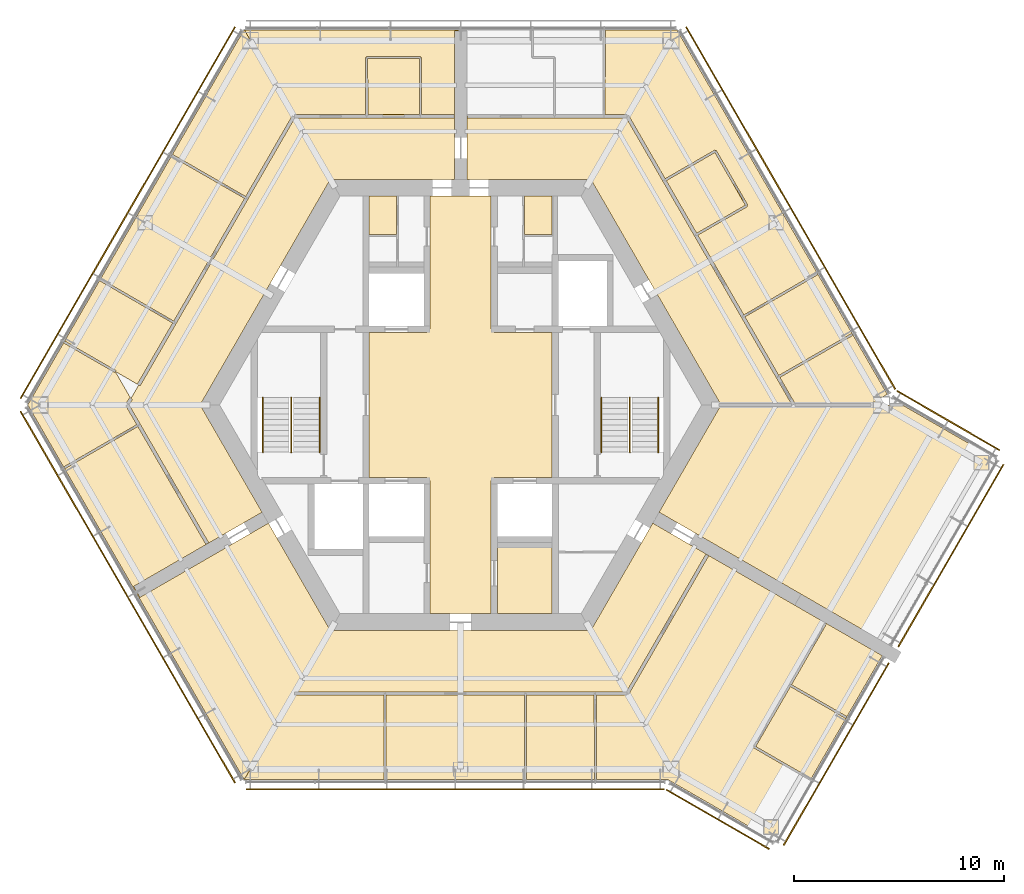
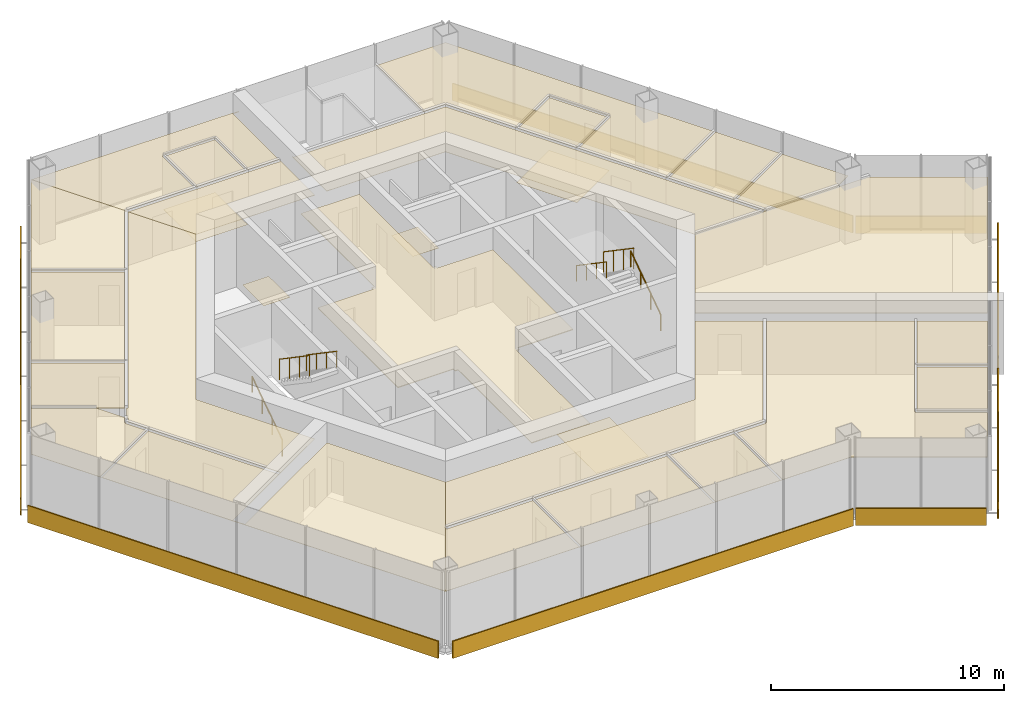
# One storey, part 12 of 13: 29 coverings, 8 shading devices, 6 railings.
"""IFC4 building model written with IfcOpenShell, lengths in metres."""

from ifc_helpers import new_model, si_unit, direction, frame, origin, origin_2d, place, context, subcontext, project, spatial, polyline, rectangle, circle, outline, extrude, material, layer, layer_set, type_object, element, save


model = new_model("IFC4")

# Units and contexts
model_context = context("Model", 3, precision=1e-05, world=origin(), true_north=direction((0.0, 1.0)))
body_context = subcontext(model_context, "Body", "Model", "MODEL_VIEW")
ifc_project = project(units=[si_unit("LENGTHUNIT", "METRE"), si_unit("AREAUNIT", "SQUARE_METRE"), si_unit("VOLUMEUNIT", "CUBIC_METRE"), si_unit("PLANEANGLEUNIT", "RADIAN"), si_unit("MASSUNIT", "GRAM", prefix="KILO")], contexts=[model_context])

# Site, building, storey
site_placement = place(None, origin())
site = spatial("IfcSite", under=ifc_project, at=site_placement, CompositionType="ELEMENT")
building_placement = place(site_placement, origin())
building = spatial("IfcBuilding", under=site, at=building_placement, Name="Kasaneha Research Tower", CompositionType="ELEMENT")
storey_placement = place(building_placement, frame((0.0, 0.0, 275.199951171875)))
storey = spatial("IfcBuildingStorey", under=building, at=storey_placement, Name="L69", CompositionType="ELEMENT", Elevation=275.199951171875)

# Covering
ifc_material_1 = material(Name="Aluminium panel ceiling", Category="aluminium")
ifc_layer_1 = layer(ifc_material_1, 0.0400390625)
ifc_layer_set_1 = layer_set([ifc_layer_1], Name="Lift lobby ceiling 40")
covering_type_1 = type_object("IfcCoveringType", Name="Lift lobby ceiling 40", PredefinedType="CEILING", material=ifc_layer_set_1)
covering_1_placement = place(storey_placement, frame((0.0, 0.0, 2.699951171875)))
element("IfcCovering", 1, at=covering_1_placement, inside=storey, type_object=covering_type_1, Name="Ceiling L69-01", PredefinedType="CEILING", context=body_context, shape_type="SweptSolid", body=[
    extrude(outline(polyline([(1.449951171875, 9.925048828125), (1.449951171875, 3.60009765625), (1.60009765625, 3.60009765625), (1.60009765625, 3.449951171875), (4.35009765625, 3.449951171875), (4.35009765625, -3.449951171875), (1.60009765625, -3.449951171875), (1.60009765625, -3.60009765625), (1.449951171875, -3.60009765625), (1.449951171875, -9.925048828125), (-1.449951171875, -9.925048828125), (-1.449951171875, -3.60009765625), (-1.60009765625, -3.60009765625), (-1.60009765625, -3.449951171875), (-4.35009765625, -3.449951171875), (-4.35009765625, 3.449951171875), (-1.60009765625, 3.449951171875), (-1.60009765625, 3.60009765625), (-1.449951171875, 3.60009765625), (-1.449951171875, 9.925048828125), (1.449951171875, 9.925048828125)])), origin(), (0.0, 0.0, 1.0), 0.0400390625),
])

# Railings
ifc_material_2 = material(Name="Steel", Category="steel")
railing_type_1 = type_object("IfcRailingType", Name="Stair balustrade 1100", PredefinedType="GUARDRAIL", material=ifc_material_2)
for number, where, name in (
    (2, (8.050048828125, 0.35009765625, 2.12744140625), "Stair 1 balustrade L69"),
    (3, (-8.050048828125, 0.35009765625, 2.12744140625), "Stair 2 balustrade L69"),
):
    element("IfcRailing", number, at=place(storey_placement, frame(where)), inside=storey, type_object=railing_type_1, Name=name, PredefinedType="GUARDRAIL", context=body_context, shape_type="SweptSolid", body=[
        extrude(circle(Radius=0.02392578125, at=origin_2d()), frame((0.0, 0.0, 1.076171875), z_axis=(0.0, -0.826240473404, 0.563317565952), x_axis=(1.0, 0.0, 0.0)), (0.0, 0.0, 1.0), 3.14697265625),
        extrude(circle(Radius=0.02099609375, at=origin_2d()), origin(), (0.0, 0.0, 1.0), 1.052001953125),
        extrude(circle(Radius=0.02099609375, at=origin_2d()), frame((0.0, -0.86669921875, 0.5908203125)), (0.0, 0.0, 1.0), 1.052001953125),
        extrude(circle(Radius=0.02099609375, at=origin_2d()), frame((0.0, -1.7333984375, 1.181884765625)), (0.0, 0.0, 1.0), 1.052001953125),
        extrude(circle(Radius=0.02099609375, at=origin_2d()), frame((0.0, -2.60009765625, 1.772705078125)), (0.0, 0.0, 1.0), 1.052001953125),
    ])
ifc_material_3 = material(Name="Steel", Category="steel")
railing_type_2 = type_object("IfcRailingType", Name="Stair handrail 850", PredefinedType="HANDRAIL", material=ifc_material_3)
railing_1_placement = place(storey_placement, frame((9.39990234375, -2.25, 0.17724609375)))
element("IfcRailing", 4, at=railing_1_placement, inside=storey, type_object=railing_type_2, Name="Stair 1 handrail L69", PredefinedType="HANDRAIL", context=body_context, shape_type="SweptSolid", body=[
    extrude(circle(Radius=0.02392578125, at=origin_2d()), frame((0.0, 0.0, 0.826171875), z_axis=(0.0, 0.826240473404, 0.563317565952), x_axis=(-1.0, 0.0, 0.0)), (0.0, 0.0, 1.0), 3.14697265625),
    extrude(circle(Radius=0.02099609375, at=origin_2d()), origin(), (0.0, 0.0, 1.0), 0.802001953125),
    extrude(circle(Radius=0.02099609375, at=origin_2d()), frame((0.0, 0.86669921875, 0.5908203125)), (0.0, 0.0, 1.0), 0.802001953125),
    extrude(circle(Radius=0.02099609375, at=origin_2d()), frame((0.0, 1.7333984375, 1.181884765625)), (0.0, 0.0, 1.0), 0.802001953125),
    extrude(circle(Radius=0.02099609375, at=origin_2d()), frame((0.0, 2.60009765625, 1.772705078125)), (0.0, 0.0, 1.0), 0.802001953125),
])
railing_2_placement = place(storey_placement, frame((6.699951171875, 0.35009765625, 2.12744140625)))
element("IfcRailing", 5, at=railing_2_placement, inside=storey, type_object=railing_type_2, Name="Stair 1 handrail L69", PredefinedType="HANDRAIL", context=body_context, shape_type="SweptSolid", body=[
    extrude(circle(Radius=0.02392578125, at=origin_2d()), frame((0.0, 0.0, 0.826171875), z_axis=(0.0, -0.826240473404, 0.563317565952), x_axis=(1.0, 0.0, 0.0)), (0.0, 0.0, 1.0), 3.14697265625),
    extrude(circle(Radius=0.02099609375, at=origin_2d()), origin(), (0.0, 0.0, 1.0), 0.802001953125),
    extrude(circle(Radius=0.02099609375, at=origin_2d()), frame((0.0, -0.86669921875, 0.5908203125)), (0.0, 0.0, 1.0), 0.802001953125),
    extrude(circle(Radius=0.02099609375, at=origin_2d()), frame((0.0, -1.7333984375, 1.181884765625)), (0.0, 0.0, 1.0), 0.802001953125),
    extrude(circle(Radius=0.02099609375, at=origin_2d()), frame((0.0, -2.60009765625, 1.772705078125)), (0.0, 0.0, 1.0), 0.802001953125),
])
railing_3_placement = place(storey_placement, frame((-9.39990234375, -2.25, 0.17724609375)))
element("IfcRailing", 6, at=railing_3_placement, inside=storey, type_object=railing_type_2, Name="Stair 2 handrail L69", PredefinedType="HANDRAIL", context=body_context, shape_type="SweptSolid", body=[
    extrude(circle(Radius=0.02392578125, at=origin_2d()), frame((0.0, 0.0, 0.826171875), z_axis=(0.0, 0.826240473404, 0.563317565952), x_axis=(-1.0, 0.0, 0.0)), (0.0, 0.0, 1.0), 3.14697265625),
    extrude(circle(Radius=0.02099609375, at=origin_2d()), origin(), (0.0, 0.0, 1.0), 0.802001953125),
    extrude(circle(Radius=0.02099609375, at=origin_2d()), frame((0.0, 0.86669921875, 0.5908203125)), (0.0, 0.0, 1.0), 0.802001953125),
    extrude(circle(Radius=0.02099609375, at=origin_2d()), frame((0.0, 1.7333984375, 1.181884765625)), (0.0, 0.0, 1.0), 0.802001953125),
    extrude(circle(Radius=0.02099609375, at=origin_2d()), frame((0.0, 2.60009765625, 1.772705078125)), (0.0, 0.0, 1.0), 0.802001953125),
])
railing_4_placement = place(storey_placement, frame((-6.699951171875, 0.35009765625, 2.12744140625)))
element("IfcRailing", 7, at=railing_4_placement, inside=storey, type_object=railing_type_2, Name="Stair 2 handrail L69", PredefinedType="HANDRAIL", context=body_context, shape_type="SweptSolid", body=[
    extrude(circle(Radius=0.02392578125, at=origin_2d()), frame((0.0, 0.0, 0.826171875), z_axis=(0.0, -0.826240473404, 0.563317565952), x_axis=(1.0, 0.0, 0.0)), (0.0, 0.0, 1.0), 3.14697265625),
    extrude(circle(Radius=0.02099609375, at=origin_2d()), origin(), (0.0, 0.0, 1.0), 0.802001953125),
    extrude(circle(Radius=0.02099609375, at=origin_2d()), frame((0.0, -0.86669921875, 0.5908203125)), (0.0, 0.0, 1.0), 0.802001953125),
    extrude(circle(Radius=0.02099609375, at=origin_2d()), frame((0.0, -1.7333984375, 1.181884765625)), (0.0, 0.0, 1.0), 0.802001953125),
    extrude(circle(Radius=0.02099609375, at=origin_2d()), frame((0.0, -2.60009765625, 1.772705078125)), (0.0, 0.0, 1.0), 0.802001953125),
])

# Coverings
ifc_material_4 = material(Name="Gypsum ceiling board", Category="gypsum")
ifc_layer_2 = layer(ifc_material_4, 0.02001953125)
ifc_layer_set_2 = layer_set([ifc_layer_2], Name="Suspended ceiling 20")
covering_type_2 = type_object("IfcCoveringType", Name="Suspended ceiling 20", PredefinedType="CEILING", material=ifc_layer_set_2)
covering_2_placement = place(storey_placement, frame((0.0, 0.0, 2.800048828125)))
element("IfcCovering", 8, at=covering_2_placement, inside=storey, type_object=covering_type_2, Name="Ceiling L69-27", PredefinedType="CEILING", context=body_context, shape_type="SweptSolid", body=[
    extrude(outline(polyline([(6.192138671875, 10.72509765625), (0.300048828125, 10.72509765625), (0.300048828125, 11.72509765625), (0.300048828125, 12.72509765625), (0.300048828125, 13.72509765625), (0.320068359375, 13.72509765625), (0.320068359375, 13.64990234375), (4.4599609375, 13.64990234375), (4.469970703125, 13.64990234375), (6.826416015625, 13.64990234375), (6.8359375, 13.64990234375), (7.880859375, 13.64990234375), (9.62353515625, 10.631591796875), (9.62353515625, 10.631591796875), (11.123779296875, 8.033203125), (11.123779296875, 8.033203125), (13.362060546875, 4.156005859375), (13.362060546875, 4.156005859375), (15.02783203125, 1.27099609375), (15.02783203125, 1.27099609375), (15.76171875, 0.0), (12.38427734375, 0.0), (6.192138671875, 10.72509765625)])), origin(), (0.0, 0.0, 1.0), 0.02001953125),
])
covering_3_placement = place(storey_placement, frame((0.0, 0.0, 2.800048828125)))
element("IfcCovering", 9, at=covering_3_placement, inside=storey, type_object=covering_type_2, Name="Ceiling L69-29", PredefinedType="CEILING", context=body_context, shape_type="SweptSolid", body=[
    extrude(outline(polyline([(12.0927734375, 12.004638671875), (13.542724609375, 9.4931640625), (11.223876953125, 8.159423828125), (9.7783203125, 10.663330078125), (12.0927734375, 12.004638671875)])), origin(), (0.0, 0.0, 1.0), 0.02001953125),
])
covering_4_placement = place(storey_placement, frame((0.0, 0.0, 2.800048828125)))
element("IfcCovering", 10, at=covering_4_placement, inside=storey, type_object=covering_type_2, Name="Ceiling L69-30", PredefinedType="CEILING", context=body_context, shape_type="SweptSolid", body=[
    extrude(outline(polyline([(18.619873046875, 3.3505859375), (18.594970703125, 3.393798828125), (15.127685546875, 1.397705078125), (13.51708984375, 4.18798828125), (16.988037109375, 6.197021484375), (16.963134765625, 6.240234375), (16.9716796875, 6.2451171875), (18.63720703125, 3.360595703125), (18.619873046875, 3.3505859375)])), origin(), (0.0, 0.0, 1.0), 0.02001953125),
])
covering_5_placement = place(storey_placement, frame((0.0, 0.0, 2.800048828125)))
element("IfcCovering", 11, at=covering_5_placement, inside=storey, type_object=covering_type_2, Name="Ceiling L69-32", PredefinedType="CEILING", context=body_context, shape_type="SweptSolid", body=[
    extrude(outline(polyline([(20.28759765625, 0.501708984375), (19.41845703125, 0.0), (15.84814453125, 0.0), (15.836669921875, 0.02001953125), (15.901611328125, 0.0576171875), (15.177734375, 1.311279296875), (18.644775390625, 3.30712890625), (18.619873046875, 3.3505859375), (18.63720703125, 3.360595703125), (20.28759765625, 0.501708984375)])), origin(), (0.0, 0.0, 1.0), 0.02001953125),
])
covering_6_placement = place(storey_placement, frame((0.0, 0.0, 2.800048828125)))
element("IfcCovering", 12, at=covering_6_placement, inside=storey, type_object=covering_type_2, Name="Ceiling L69-33", PredefinedType="CEILING", context=body_context, shape_type="SweptSolid", body=[
    extrude(outline(polyline([(16.962890625, 6.24072265625), (16.93798828125, 6.283447265625), (13.467041015625, 4.2744140625), (11.27392578125, 8.072998046875), (13.635986328125, 9.431640625), (13.611328125, 9.474609375), (13.611572265625, 9.474853515625), (13.611328125, 9.47509765625), (13.654296875, 9.5), (12.154296875, 12.097900390625), (12.111572265625, 12.0732421875), (12.111572265625, 12.0732421875), (12.111083984375, 12.072998046875), (12.0859375, 12.1162109375), (9.728271484375, 10.75), (7.989013671875, 13.762451171875), (7.924560546875, 13.725341796875), (7.924560546875, 13.725341796875), (7.924072265625, 13.725341796875), (7.924072265625, 13.800048828125), (6.87646484375, 13.800048828125), (6.880859375, 17.800537109375), (6.83154296875, 17.800537109375), (6.83154296875, 17.820556640625), (10.28857421875, 17.820556640625), (16.971435546875, 6.24560546875), (16.962890625, 6.24072265625)])), origin(), (0.0, 0.0, 1.0), 0.02001953125),
])
covering_7_placement = place(storey_placement, frame((0.0, 0.0, 2.800048828125)))
element("IfcCovering", 13, at=covering_7_placement, inside=storey, type_object=covering_type_2, Name="Ceiling L69-34", PredefinedType="CEILING", context=body_context, shape_type="SweptSolid", body=[
    extrude(outline(polyline([(-0.300048828125, 11.72509765625), (-0.300048828125, 10.72509765625), (-6.192138671875, 10.72509765625), (-7.880859375, 13.64990234375), (-4.469970703125, 13.64990234375), (-4.46044921875, 13.64990234375), (-1.904541015625, 13.64990234375), (-1.89501953125, 13.64990234375), (-0.320068359375, 13.64990234375), (-0.320068359375, 13.72509765625), (-0.300048828125, 13.72509765625), (-0.300048828125, 12.72509765625), (-0.300048828125, 11.72509765625)])), origin(), (0.0, 0.0, 1.0), 0.02001953125),
])
covering_8_placement = place(storey_placement, frame((0.0, 0.0, 2.800048828125)))
element("IfcCovering", 14, at=covering_8_placement, inside=storey, type_object=covering_type_2, Name="Ceiling L69-35", PredefinedType="CEILING", context=body_context, shape_type="SweptSolid", body=[
    extrude(outline(polyline([(-1.9501953125, 16.47509765625), (-1.954345703125, 13.800048828125), (-4.41064453125, 13.800048828125), (-4.4150390625, 16.47509765625), (-1.9501953125, 16.47509765625)])), origin(), (0.0, 0.0, 1.0), 0.02001953125),
])
covering_9_placement = place(storey_placement, frame((0.0, 0.0, 2.800048828125)))
element("IfcCovering", 15, at=covering_9_placement, inside=storey, type_object=covering_type_2, Name="Ceiling L69-36", PredefinedType="CEILING", context=body_context, shape_type="SweptSolid", body=[
    extrude(outline(polyline([(-0.320068359375, 13.7255859375), (-0.320068359375, 13.800048828125), (-1.8544921875, 13.800048828125), (-1.85009765625, 16.52490234375), (-1.899658203125, 16.52490234375), (-1.899658203125, 16.525390625), (-1.89990234375, 16.525390625), (-1.89990234375, 16.574951171875), (-4.465087890625, 16.574951171875), (-4.465087890625, 16.525390625), (-4.465087890625, 16.52490234375), (-4.514892578125, 16.52490234375), (-4.510498046875, 13.800048828125), (-7.90087890625, 13.800048828125), (-7.90087890625, 13.725341796875), (-7.92431640625, 13.725341796875), (-10.28857421875, 17.820556640625), (0.0, 17.820556640625), (0.0, 17.7705078125), (-0.300048828125, 17.7705078125), (-0.300048828125, 17.7705078125), (-0.300048828125, 13.7255859375), (-0.320068359375, 13.7255859375)])), origin(), (0.0, 0.0, 1.0), 0.02001953125),
])
covering_10_placement = place(storey_placement, frame((0.0, 0.0, 2.800048828125)))
element("IfcCovering", 16, at=covering_10_placement, inside=storey, type_object=covering_type_2, Name="Ceiling L69-37", PredefinedType="CEILING", context=body_context, shape_type="SweptSolid", body=[
    extrude(outline(polyline([(-12.38427734375, 0.0), (-9.438232421875, -5.102783203125), (-10.30419921875, -5.602783203125), (-10.30419921875, -5.602783203125), (-11.170166015625, -6.102783203125), (-11.170166015625, -6.102783203125), (-12.0361328125, -6.602783203125), (-12.046142578125, -6.58544921875), (-11.981201171875, -6.5478515625), (-15.239013671875, -0.905517578125), (-15.239013671875, -0.905517578125), (-15.76171875, 0.0), (-15.607177734375, 0.267578125), (-15.672119140625, 0.304931640625), (-15.30419921875, 0.9423828125), (-15.2392578125, 0.90478515625), (-13.5263671875, 3.871337890625), (-13.526611328125, 3.871337890625), (-10.111328125, 9.786865234375), (-10.111328125, 9.786865234375), (-7.880859375, 13.64990234375), (-7.880859375, 13.64990234375), (-6.192138671875, 10.72509765625), (-12.38427734375, 0.0)])), origin(), (0.0, 0.0, 1.0), 0.02001953125),
])
covering_11_placement = place(storey_placement, frame((0.0, 0.0, 2.800048828125)))
element("IfcCovering", 17, at=covering_11_placement, inside=storey, type_object=covering_type_2, Name="Ceiling L69-38", PredefinedType="CEILING", context=body_context, shape_type="SweptSolid", body=[
    extrude(outline(polyline([(-17.12353515625, 5.9423828125), (-17.1484375, 5.899169921875), (-13.68603515625, 3.89501953125), (-15.36669921875, 0.984130859375), (-16.413330078125, 1.58837890625), (-16.38818359375, 1.6318359375), (-18.81494140625, 3.03271484375), (-18.83984375, 2.989501953125), (-18.848388671875, 2.994384765625), (-17.140869140625, 5.952392578125), (-17.12353515625, 5.9423828125)])), origin(), (0.0, 0.0, 1.0), 0.02001953125),
])
covering_12_placement = place(storey_placement, frame((0.0, 0.0, 2.800048828125)))
element("IfcCovering", 18, at=covering_12_placement, inside=storey, type_object=covering_type_2, Name="Ceiling L69-39", PredefinedType="CEILING", context=body_context, shape_type="SweptSolid", body=[
    extrude(outline(polyline([(-12.027587890625, 14.83251953125), (-10.299072265625, 17.826416015625), (-10.291748046875, 17.83203125), (-10.282470703125, 17.830810546875), (-7.912353515625, 13.725830078125), (-7.917236328125, 13.714111328125), (-7.924560546875, 13.725341796875), (-7.93603515625, 13.705322265625), (-8.000732421875, 13.742431640625), (-10.21630859375, 9.905029296875), (-13.691650390625, 11.906494140625), (-13.716552734375, 11.86328125), (-13.725341796875, 11.8681640625), (-12.023193359375, 14.816162109375), (-12.029052734375, 14.82373046875), (-12.027587890625, 14.83251953125)])), origin(), (0.0, 0.0, 1.0), 0.02001953125),
])
covering_13_placement = place(storey_placement, frame((0.0, 0.0, 2.800048828125)))
element("IfcCovering", 19, at=covering_13_placement, inside=storey, type_object=covering_type_2, Name="Ceiling L69-40", PredefinedType="CEILING", context=body_context, shape_type="SweptSolid", body=[
    extrude(outline(polyline([(-18.848388671875, -2.994384765625), (-20.577880859375, 0.0), (-18.8486328125, 2.99462890625), (-18.83984375, 2.989501953125), (-18.864990234375, 2.9462890625), (-16.438232421875, 1.545166015625), (-16.416015625, 1.58349609375), (-15.680908203125, 0.31005859375), (-15.737060546875, 0.342529296875), (-15.913330078125, 0.03759765625), (-15.848388671875, 0.0), (-15.913330078125, -0.03759765625), (-15.393798828125, -0.937255859375), (-18.864990234375, -2.9462890625), (-18.83984375, -2.989501953125), (-18.848388671875, -2.994384765625)])), origin(), (0.0, 0.0, 1.0), 0.02001953125),
])
covering_14_placement = place(storey_placement, frame((0.0, 0.0, 2.800048828125)))
element("IfcCovering", 20, at=covering_14_placement, inside=storey, type_object=covering_type_2, Name="Ceiling L69-41", PredefinedType="CEILING", context=body_context, shape_type="SweptSolid", body=[
    extrude(outline(polyline([(-17.140380859375, 5.952880859375), (-13.7255859375, 11.86767578125), (-13.716796875, 11.86279296875), (-13.74169921875, 11.81982421875), (-10.26611328125, 9.818359375), (-13.63623046875, 3.981689453125), (-17.098388671875, 5.985595703125), (-17.123291015625, 5.94287109375), (-17.140380859375, 5.952880859375)])), origin(), (0.0, 0.0, 1.0), 0.02001953125),
])
covering_15_placement = place(storey_placement, frame((0.0, 0.0, 2.800048828125)))
element("IfcCovering", 21, at=covering_15_placement, inside=storey, type_object=covering_type_2, Name="Ceiling L69-42", PredefinedType="CEILING", context=body_context, shape_type="SweptSolid", body=[
    extrude(outline(polyline([(-15.539794921875, -8.62548828125), (-15.3896484375, -8.88525390625), (-15.43310546875, -8.91015625), (-18.84814453125, -2.994873046875), (-18.839599609375, -2.989990234375), (-18.81494140625, -3.03271484375), (-15.34375, -1.023681640625), (-12.111083984375, -6.622802734375), (-12.046630859375, -6.585693359375), (-12.03662109375, -6.60302734375), (-15.539794921875, -8.62548828125), (-15.539794921875, -8.62548828125), (-15.539794921875, -8.62548828125)])), origin(), (0.0, 0.0, 1.0), 0.02001953125),
])
covering_16_placement = place(storey_placement, frame((0.0, 0.0, 2.800048828125)))
element("IfcCovering", 22, at=covering_16_placement, inside=storey, type_object=covering_type_2, Name="Ceiling L69-43", PredefinedType="CEILING", context=body_context, shape_type="SweptSolid", body=[
    extrude(outline(polyline([(-10.004150390625, -6.122314453125), (-10.004150390625, -6.122314453125), (-9.50927734375, -5.836669921875), (-9.13818359375, -5.622314453125), (-6.192138671875, -10.72509765625), (-7.880859375, -13.64990234375), (-7.90087890625, -13.64990234375), (-7.90087890625, -13.684814453125), (-10.28857421875, -17.820556640625), (-15.43310546875, -8.91015625), (-15.3896484375, -8.88525390625), (-15.23974609375, -9.14501953125), (-10.004150390625, -6.122314453125)])), origin(), (0.0, 0.0, 1.0), 0.02001953125),
])
covering_17_placement = place(storey_placement, frame((0.0, 0.0, 2.800048828125)))
element("IfcCovering", 23, at=covering_17_placement, inside=storey, type_object=covering_type_2, Name="Ceiling L69-44", PredefinedType="CEILING", context=body_context, shape_type="SweptSolid", body=[
    extrude(outline(polyline([(11.170166015625, -6.102783203125), (10.30419921875, -5.602783203125), (10.227783203125, -5.55859375), (9.438232421875, -5.102783203125), (12.38427734375, 0.0), (15.76171875, 0.0), (15.771728515625, -0.017578125), (15.802001953125, 0.0), (21.0, 0.0), (25.446044921875, -2.56689453125), (20.34619140625, -11.400390625), (12.1259765625, -6.654541015625), (11.170166015625, -6.102783203125)])), origin(), (0.0, 0.0, 1.0), 0.02001953125),
])
covering_18_placement = place(storey_placement, frame((0.0, 0.0, 2.800048828125)))
element("IfcCovering", 24, at=covering_18_placement, inside=storey, type_object=covering_type_2, Name="Ceiling L69-45", PredefinedType="CEILING", context=body_context, shape_type="SweptSolid", body=[
    extrude(outline(polyline([(-6.192138671875, -10.72509765625), (6.192138671875, -10.72509765625), (9.13818359375, -5.622314453125), (10.004150390625, -6.122314453125), (10.004150390625, -6.122314453125), (10.8701171875, -6.622314453125), (10.8701171875, -6.622314453125), (11.736083984375, -7.122314453125), (11.726318359375, -7.1396484375), (11.6611328125, -7.10205078125), (7.880859375, -13.64990234375), (6.413330078125, -13.64990234375), (6.40380859375, -13.64990234375), (3.081787109375, -13.64990234375), (3.072509765625, -13.64990234375), (-3.57958984375, -13.64990234375), (-3.589111328125, -13.64990234375), (-7.880859375, -13.64990234375), (-6.192138671875, -10.72509765625)])), origin(), (0.0, 0.0, 1.0), 0.02001953125),
])
covering_19_placement = place(storey_placement, frame((0.0, 0.0, 2.800048828125)))
element("IfcCovering", 25, at=covering_19_placement, inside=storey, type_object=covering_type_2, Name="Ceiling L69-46", PredefinedType="CEILING", context=body_context, shape_type="SweptSolid", body=[
    extrude(outline(polyline([(-7.924560546875, -13.72509765625), (-7.90087890625, -13.72509765625), (-7.90087890625, -13.800048828125), (-3.638916015625, -13.800048828125), (-3.634521484375, -17.800537109375), (-3.58447265625, -17.800537109375), (-3.58447265625, -17.820556640625), (-10.2890625, -17.820556640625), (-7.924560546875, -13.72509765625)])), origin(), (0.0, 0.0, 1.0), 0.02001953125),
])
covering_20_placement = place(storey_placement, frame((0.0, 0.0, 2.800048828125)))
element("IfcCovering", 26, at=covering_20_placement, inside=storey, type_object=covering_type_2, Name="Ceiling L69-47", PredefinedType="CEILING", context=body_context, shape_type="SweptSolid", body=[
    extrude(outline(polyline([(3.077392578125, -17.800537109375), (3.12744140625, -17.800537109375), (3.1318359375, -13.800048828125), (6.353759765625, -13.800048828125), (6.3583984375, -17.800537109375), (6.408203125, -17.800537109375), (6.408203125, -17.820556640625), (3.077392578125, -17.820556640625), (3.077392578125, -17.800537109375)])), origin(), (0.0, 0.0, 1.0), 0.02001953125),
])
covering_21_placement = place(storey_placement, frame((0.0, 0.0, 2.800048828125)))
element("IfcCovering", 27, at=covering_21_placement, inside=storey, type_object=covering_type_2, Name="Ceiling L69-48", PredefinedType="CEILING", context=body_context, shape_type="SweptSolid", body=[
    extrude(outline(polyline([(16.646240234375, -17.80908203125), (16.62890625, -17.799072265625), (16.65380859375, -17.755615234375), (14.02978515625, -16.24072265625), (15.68115234375, -13.389404296875), (18.303955078125, -14.89794921875), (18.328857421875, -14.8544921875), (18.34619140625, -14.864501953125), (16.646240234375, -17.80908203125)])), origin(), (0.0, 0.0, 1.0), 0.02001953125),
])
covering_22_placement = place(storey_placement, frame((0.0, 0.0, 2.800048828125)))
element("IfcCovering", 28, at=covering_22_placement, inside=storey, type_object=covering_type_2, Name="Ceiling L69-49", PredefinedType="CEILING", context=body_context, shape_type="SweptSolid", body=[
    extrude(outline(polyline([(18.34619140625, -14.864501953125), (18.328857421875, -14.8544921875), (18.353759765625, -14.811279296875), (15.731201171875, -13.302734375), (17.394775390625, -10.412353515625), (17.3515625, -10.387451171875), (17.361572265625, -10.3701171875), (20.046142578125, -11.920166015625), (18.34619140625, -14.864501953125)])), origin(), (0.0, 0.0, 1.0), 0.02001953125),
])
covering_23_placement = place(storey_placement, frame((0.0, 0.0, 2.800048828125)))
element("IfcCovering", 29, at=covering_23_placement, inside=storey, type_object=covering_type_2, Name="Ceiling L69-50", PredefinedType="CEILING", context=body_context, shape_type="SweptSolid", body=[
    extrude(outline(polyline([(13.96142578125, -16.25927734375), (13.9365234375, -16.30224609375), (16.603759765625, -17.84228515625), (16.62841796875, -17.799560546875), (16.64599609375, -17.8095703125), (14.946044921875, -20.75341796875), (9.865966796875, -17.820556640625), (6.40869140625, -17.820556640625), (6.40869140625, -17.800537109375), (6.458251953125, -17.800537109375), (6.453857421875, -13.800048828125), (7.924072265625, -13.800048828125), (7.924072265625, -13.725341796875), (7.924560546875, -13.725341796875), (7.924560546875, -13.725341796875), (7.989013671875, -13.762451171875), (11.791259765625, -7.177001953125), (11.7265625, -7.139892578125), (11.736572265625, -7.12255859375), (17.361083984375, -10.369873046875), (17.35107421875, -10.38720703125), (17.30810546875, -10.362548828125), (15.6220703125, -13.291748046875), (13.918212890625, -16.23388671875), (13.961181640625, -16.2587890625), (13.9609375, -16.259033203125), (13.96142578125, -16.25927734375)])), origin(), (0.0, 0.0, 1.0), 0.02001953125),
])
covering_24_placement = place(storey_placement, frame((0.0, 0.0, 2.800048828125)))
element("IfcCovering", 30, at=covering_24_placement, inside=storey, type_object=covering_type_2, Name="Ceiling L69-51", PredefinedType="CEILING", context=body_context, shape_type="SweptSolid", body=[
    extrude(outline(polyline([(3.076904296875, -17.820556640625), (-3.583984375, -17.820556640625), (-3.583984375, -17.800537109375), (-3.534423828125, -17.800537109375), (-3.538818359375, -13.800048828125), (3.03173828125, -13.800048828125), (3.02734375, -17.800537109375), (3.076904296875, -17.800537109375), (3.076904296875, -17.820556640625)])), origin(), (0.0, 0.0, 1.0), 0.02001953125),
])

# Shading devices
ifc_material_5 = material(Name="Terracotta", Category="masonry")
ifc_layer_3 = layer(ifc_material_5, 0.06005859375)
ifc_layer_set_3 = layer_set([ifc_layer_3], Name="Terracotta baguette screen")
shading_device_type = type_object("IfcShadingDeviceType", Name="Terracotta baguette screen", PredefinedType="USERDEFINED", material=ifc_layer_set_3)
shading_device_1_placement = place(storey_placement, frame((15.696044921875, 9.35498046875, -0.449951171875), z_axis=(0.0, 0.0, 1.0), x_axis=(-0.499999979232, 0.866025415775, 0.0)))
element("IfcShadingDevice", 31, at=shading_device_1_placement, inside=storey, type_object=shading_device_type, Name="Baguette screen L69 01", ObjectType="TERRACOTTA BAGUETTE SCREEN", PredefinedType="USERDEFINED", context=body_context, shape_type="SweptSolid", body=[
    extrude(rectangle(XDim=19.8857421875, YDim=0.06005859375, at=origin_2d()), origin(), (0.0, 0.0, 1.0), 0.89990234375),
])
for number, where, z_axis, x_axis, name in (
    (32, (-15.82275390625, 9.13525390625, -0.449951171875), (0.0, 0.0, 1.0), (-0.499999995722, -0.866025406254, 0.0), "Baguette screen L69 03"),
    (33, (-15.82275390625, -9.13525390625, -0.449951171875), (0.0, 0.0, 1.0), (0.499999995722, -0.866025406254, 0.0), "Baguette screen L69 04"),
):
    element("IfcShadingDevice", number, at=place(storey_placement, frame(where, z_axis=z_axis, x_axis=x_axis)), inside=storey, type_object=shading_device_type, Name=name, ObjectType="TERRACOTTA BAGUETTE SCREEN", PredefinedType="USERDEFINED", context=body_context, shape_type="SweptSolid", body=[
        extrude(rectangle(XDim=20.392822265625, YDim=0.06005859375, at=origin_2d()), origin(), (0.0, 0.0, 1.0), 0.89990234375),
    ])
shading_device_2_placement = place(storey_placement, frame((-0.253662109375, -18.2705078125, -0.449951171875), z_axis=(0.0, 0.0, 1.0), x_axis=(1.0, 0.0, 0.0)))
element("IfcShadingDevice", 34, at=shading_device_2_placement, inside=storey, type_object=shading_device_type, Name="Baguette screen L69 05", ObjectType="TERRACOTTA BAGUETTE SCREEN", PredefinedType="USERDEFINED", context=body_context, shape_type="SweptSolid", body=[
    extrude(rectangle(XDim=19.8857421875, YDim=0.06005859375, at=origin_2d()), origin(), (0.0, 0.0, 1.0), 0.89990234375),
])
shading_device_3_placement = place(storey_placement, frame((12.236083984375, -19.70849609375, -0.449951171875), z_axis=(0.0, 0.0, 1.0), x_axis=(0.866025443395, -0.499999931393, 0.0)))
element("IfcShadingDevice", 35, at=shading_device_3_placement, inside=storey, type_object=shading_device_type, Name="Baguette screen L69 06", ObjectType="TERRACOTTA BAGUETTE SCREEN", PredefinedType="USERDEFINED", context=body_context, shape_type="SweptSolid", body=[
    extrude(rectangle(XDim=5.63916015625, YDim=0.06005859375, at=origin_2d()), origin(), (0.0, 0.0, 1.0), 0.89990234375),
])
for number, where, z_axis, x_axis, name in (
    (36, (17.86083984375, -16.60498046875, -0.449951171875), (0.0, 0.0, 1.0), (0.500000011442, 0.866025397178, 0.0), "Baguette screen L69 07"),
    (37, (23.310791015625, -7.16552734375, -0.449951171875), (0.0, 0.0, 1.0), (0.500000011442, 0.866025397178, 0.0), "Baguette screen L69 08"),
):
    element("IfcShadingDevice", number, at=place(storey_placement, frame(where, z_axis=z_axis, x_axis=x_axis)), inside=storey, type_object=shading_device_type, Name=name, ObjectType="TERRACOTTA BAGUETTE SCREEN", PredefinedType="USERDEFINED", context=body_context, shape_type="SweptSolid", body=[
        extrude(rectangle(XDim=10.0, YDim=0.06005859375, at=origin_2d()), origin(), (0.0, 0.0, 1.0), 0.89990234375),
    ])
shading_device_4_placement = place(storey_placement, frame((23.18603515625, -0.742431640625, -0.449951171875), z_axis=(0.0, 0.0, 1.0), x_axis=(-0.866025443395, 0.499999931393, 0.0)))
element("IfcShadingDevice", 38, at=shading_device_4_placement, inside=storey, type_object=shading_device_type, Name="Baguette screen L69 09", ObjectType="TERRACOTTA BAGUETTE SCREEN", PredefinedType="USERDEFINED", context=body_context, shape_type="SweptSolid", body=[
    extrude(rectangle(XDim=5.63916015625, YDim=0.06005859375, at=origin_2d()), origin(), (0.0, 0.0, 1.0), 0.89990234375),
])

# Coverings
ifc_material_6 = material(Name="Vinyl sheet flooring", Category="plastic")
ifc_layer_4 = layer(ifc_material_6, 0.0048828125)
ifc_layer_set_4 = layer_set([ifc_layer_4], Name="Wet room sheet flooring 5")
covering_type_3 = type_object("IfcCoveringType", Name="Wet room sheet flooring 5", PredefinedType="FLOORING", material=ifc_layer_set_4)
covering_25_placement = place(storey_placement, origin())
element("IfcCovering", 39, at=covering_25_placement, inside=storey, type_object=covering_type_3, Name="Floor finish L69-07", PredefinedType="FLOORING", context=body_context, shape_type="SweptSolid", body=[
    extrude(outline(polyline([(-4.35009765625, 8.10009765625), (-4.35009765625, 9.925048828125), (-3.050048828125, 9.925048828125), (-3.050048828125, 8.10009765625), (-4.35009765625, 8.10009765625)])), origin(), (0.0, 0.0, 1.0), 0.005126953125),
])
covering_26_placement = place(storey_placement, origin())
element("IfcCovering", 40, at=covering_26_placement, inside=storey, type_object=covering_type_3, Name="Floor finish L69-10", PredefinedType="FLOORING", context=body_context, shape_type="SweptSolid", body=[
    extrude(outline(polyline([(4.35009765625, 8.10009765625), (3.050048828125, 8.10009765625), (3.050048828125, 9.925048828125), (4.35009765625, 9.925048828125), (4.35009765625, 8.10009765625)])), origin(), (0.0, 0.0, 1.0), 0.005126953125),
])
covering_27_placement = place(storey_placement, origin())
element("IfcCovering", 41, at=covering_27_placement, inside=storey, type_object=covering_type_3, Name="Floor finish L69-13", PredefinedType="FLOORING", context=body_context, shape_type="SweptSolid", body=[
    extrude(outline(polyline([(1.75, -9.925048828125), (1.75, -6.550048828125), (4.35009765625, -6.550048828125), (4.35009765625, -9.925048828125), (1.75, -9.925048828125)])), origin(), (0.0, 0.0, 1.0), 0.005126953125),
])
covering_28_placement = place(storey_placement, origin())
element("IfcCovering", 42, at=covering_28_placement, inside=storey, type_object=covering_type_3, Name="Floor finish L69-29", PredefinedType="FLOORING", context=body_context, shape_type="SweptSolid", body=[
    extrude(outline(polyline([(12.111083984375, 12.072998046875), (13.611083984375, 9.474853515625), (11.186279296875, 8.074951171875), (9.686279296875, 10.673095703125), (12.111083984375, 12.072998046875)])), origin(), (0.0, 0.0, 1.0), 0.005126953125),
])
covering_29_placement = place(storey_placement, origin())
element("IfcCovering", 43, at=covering_29_placement, inside=storey, type_object=covering_type_3, Name="Floor finish L69-35", PredefinedType="FLOORING", context=body_context, shape_type="SweptSolid", body=[
    extrude(outline(polyline([(-4.465087890625, 16.52490234375), (-1.89990234375, 16.52490234375), (-1.89990234375, 13.72509765625), (-4.465087890625, 13.72509765625), (-4.465087890625, 16.52490234375)])), origin(), (0.0, 0.0, 1.0), 0.005126953125),
])

save(model, "model.ifc")
